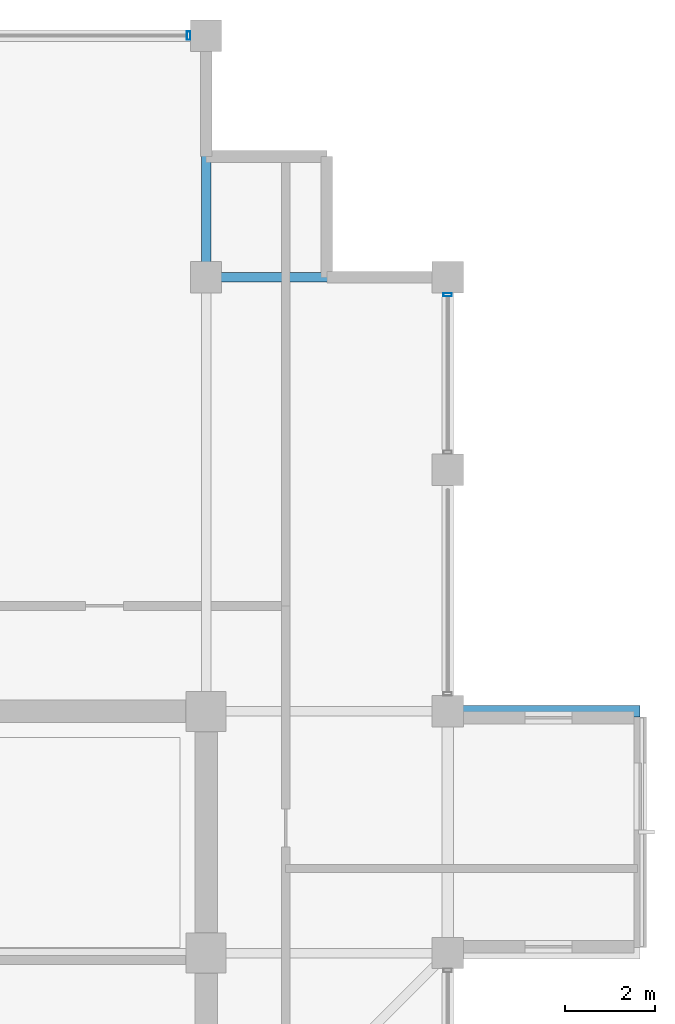
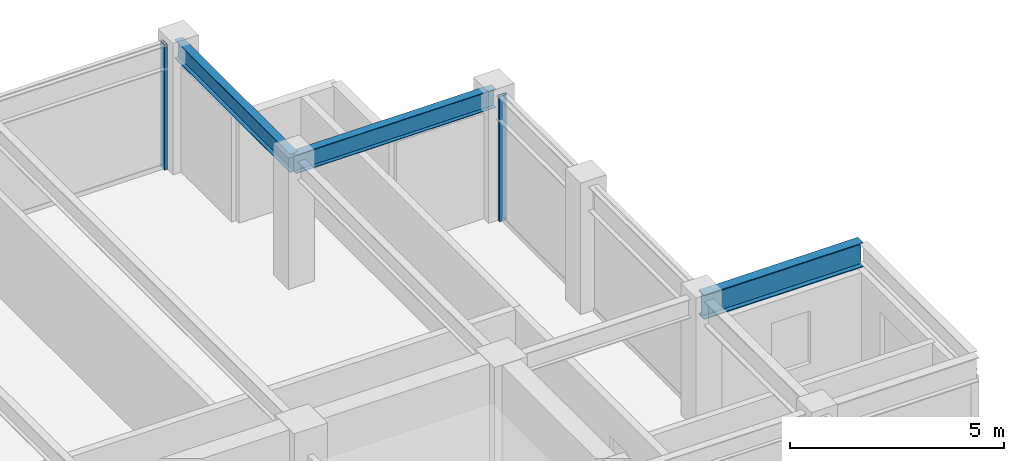
# One storey, part 21 of 31: 3 beams, 2 members, 2 elements without a shape of their own.
"""IFC4 building model written with IfcOpenShell, lengths in metres."""

from ifc_helpers import new_model, si_unit, direction, frame, origin, origin_2d, place, context, subcontext, project, spatial, hollow_rectangle, i_section, extrude, material, layer, layer_set, material_profile, profile_set, type_object, element, aggregate, save


model = new_model("IFC4")

# Units and contexts
model_context = context("Model", 3, precision=1e-05, world=origin(), true_north=direction((0.0, 1.0)))
body_context = subcontext(model_context, "Body", "Model", "MODEL_VIEW")
ifc_project = project(units=[si_unit("LENGTHUNIT", "METRE"), si_unit("AREAUNIT", "SQUARE_METRE"), si_unit("VOLUMEUNIT", "CUBIC_METRE"), si_unit("PLANEANGLEUNIT", "RADIAN"), si_unit("MASSUNIT", "GRAM", prefix="KILO")], contexts=[model_context])

# Site, building, storey
site_placement = place(None, origin())
site = spatial("IfcSite", under=ifc_project, at=site_placement, CompositionType="ELEMENT")
building_placement = place(site_placement, origin())
building = spatial("IfcBuilding", under=site, at=building_placement, Name="Surkhivell Harbour Commons", CompositionType="ELEMENT")
storey_placement = place(building_placement, frame((0.0, 0.0, 266.25)))
storey = spatial("IfcBuildingStorey", under=building, at=storey_placement, Name="L69", CompositionType="ELEMENT", Elevation=266.25)

# Beams
ifc_material_1 = material(Name="Steel S460", Category="steel")
ifc_material_profile_1 = material_profile(ifc_material_1, i_section(OverallWidth=0.256103515625, OverallDepth=0.693115234375, WebThickness=0.014404296875, FlangeThickness=0.023681640625, at=origin_2d()), Name="UB686x254x170")
ifc_profile_set_1 = profile_set([ifc_material_profile_1], Name="Steel S460")
beam_type_1 = type_object("IfcBeamType", Name="BM-CNT-686", PredefinedType="BEAM", material=ifc_profile_set_1)
beam_placement = place(storey_placement, frame((16.199951171875, 10.800048828125, 3.223388671875), z_axis=(1.0, 0.0, 0.0), x_axis=(0.0, 1.0, 0.0)))
element("IfcBeam", 1, at=beam_placement, inside=storey, type_object=beam_type_1, Name="L69 Box Cantilever Outrigger (16.2,10.8)", PredefinedType="BEAM", context=body_context, shape_type="SweptSolid", body=[
    extrude(i_section(OverallWidth=0.256103515625, OverallDepth=0.693115234375, WebThickness=0.014404296875, FlangeThickness=0.023681640625, at=origin_2d()), origin(), (0.0, 0.0, 1.0), 4.300048828125),
])
ifc_material_2 = material(Name="Steel S355", Category="steel")
ifc_material_profile_2 = material_profile(ifc_material_2, i_section(OverallWidth=0.2099609375, OverallDepth=0.537109375, WebThickness=0.0107421875, FlangeThickness=0.017333984375, at=origin_2d()), Name="UB533x210x101")
ifc_profile_set_2 = profile_set([ifc_material_profile_2], Name="Steel S355")
beam_type_2 = type_object("IfcBeamType", Name="BM-GRD-533B", PredefinedType="BEAM", material=ifc_profile_set_2)
for number, where, z_axis, x_axis, name in (
    (2, (10.800048828125, 20.5, 3.301513671875), (0.0, 1.0, 0.0), (-1.0, 0.0, 0.0), "L69 Floor Girder (10.8,20.5)"),
    (3, (10.800048828125, 20.5, 3.301513671875), (1.0, 0.0, 0.0), (0.0, 1.0, 0.0), "L69 Floor Girder (10.8,20.5)"),
):
    element("IfcBeam", number, at=place(storey_placement, frame(where, z_axis=z_axis, x_axis=x_axis)), inside=storey, type_object=beam_type_2, Name=name, PredefinedType="BEAM", context=body_context, shape_type="SweptSolid", body=[
        extrude(i_section(OverallWidth=0.2099609375, OverallDepth=0.537109375, WebThickness=0.0107421875, FlangeThickness=0.017333984375, at=origin_2d()), origin(), (0.0, 0.0, 1.0), 5.39990234375),
    ])

# Curtain wall, member
ifc_material_3 = material(Name="Anodised pale-metal aluminium and insulated glazing", Category="aluminium")
ifc_layer = layer(ifc_material_3, 0.175048828125)
ifc_layer_set = layer_set([ifc_layer], Name="Anodised pale-metal aluminium and insulated glazing")
curtain_wall_type = type_object("IfcCurtainWallType", Name="CW-SYS-Z4", PredefinedType="NOTDEFINED", material=ifc_layer_set)
curtain_wall_1_placement = place(storey_placement, origin())
curtain_wall_1 = element("IfcCurtainWall", 4, at=curtain_wall_1_placement, inside=storey, type_object=curtain_wall_type, Name="L69 Curtain Wall CW-L69-E02R2", PredefinedType="NOTDEFINED")
ifc_material_4 = material(Name="Anodised pale-metal aluminium alloy 6063-T6", Category="aluminium")
ifc_material_profile_3 = material_profile(ifc_material_4, hollow_rectangle(XDim=0.074951171875, YDim=0.18994140625, WallThickness=0.00390625, at=origin_2d()), Name="ALU-MULL-75x190")
ifc_profile_set_3 = profile_set([ifc_material_profile_3], Name="Anodised pale-metal aluminium alloy 6063-T6")
member_type = type_object("IfcMemberType", Name="CWM-190", PredefinedType="MULLION", material=ifc_profile_set_3)
member_1_placement = place(storey_placement, frame((16.199951171875, 20.110595703125, 0.0), z_axis=(0.0, 0.0, 1.0), x_axis=(0.0, 1.0, 0.0)))
member_1 = element("IfcMember", 5, at=member_1_placement, type_object=member_type, Name="CW-Z4 mullion 3", PredefinedType="MULLION", context=body_context, shape_type="SweptSolid", body=[
    extrude(hollow_rectangle(XDim=0.074951171875, YDim=0.18994140625, WallThickness=0.00390625, at=origin_2d()), origin(), (0.0, 0.0, 1.0), 3.570068359375),
])
aggregate(curtain_wall_1, [member_1])

curtain_wall_2_placement = place(storey_placement, origin())
curtain_wall_2 = element("IfcCurtainWall", 6, at=curtain_wall_2_placement, inside=storey, type_object=curtain_wall_type, Name="L69 Curtain Wall CW-L69-E07S1", PredefinedType="NOTDEFINED")
member_2_placement = place(storey_placement, frame((10.410400390625, 25.89990234375, 0.0), z_axis=(0.0, 0.0, 1.0), x_axis=(-1.0, 0.0, 0.0)))
member_2 = element("IfcMember", 7, at=member_2_placement, type_object=member_type, Name="CW-Z4 mullion 1", PredefinedType="MULLION", context=body_context, shape_type="SweptSolid", body=[
    extrude(hollow_rectangle(XDim=0.074951171875, YDim=0.18994140625, WallThickness=0.00390625, at=origin_2d()), origin(), (0.0, 0.0, 1.0), 3.570068359375),
])
aggregate(curtain_wall_2, [member_2])

save(model, "model.ifc")
